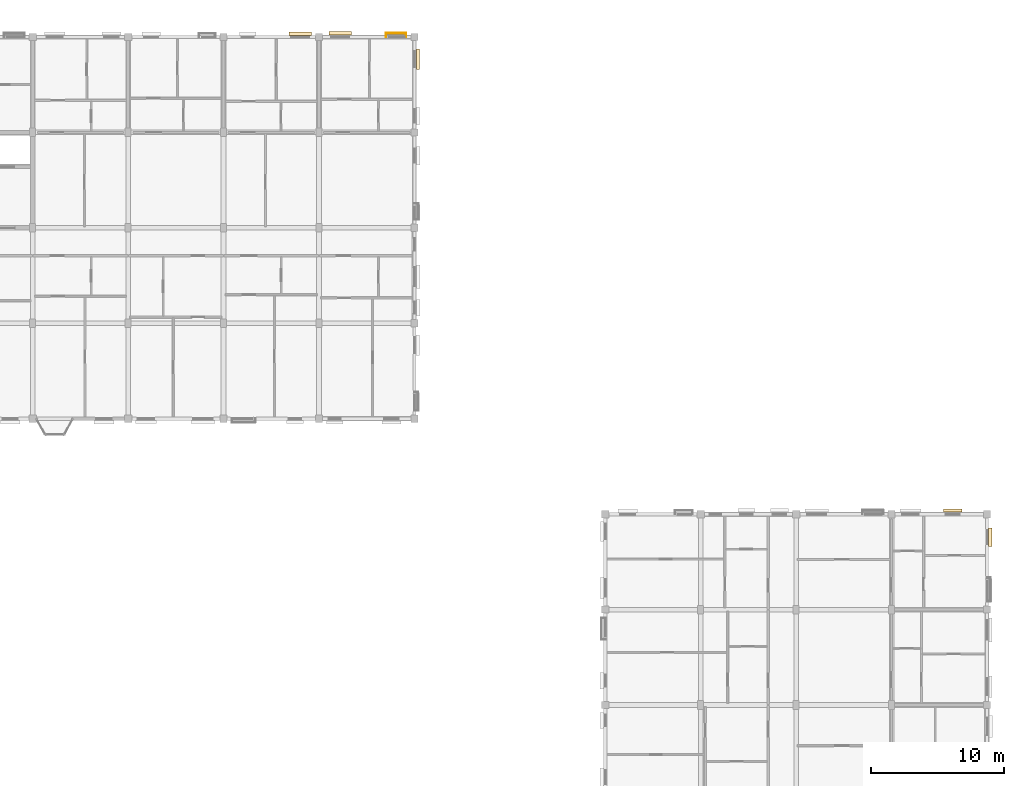
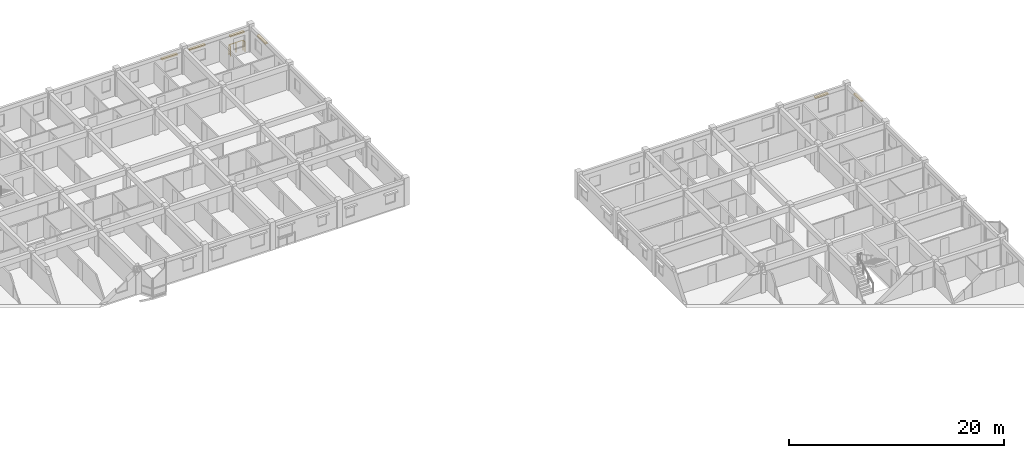
# One storey, part 75 of 75: 6 coverings, 1 railing.
"""IFC4 building model written with IfcOpenShell, lengths in metres."""

from ifc_helpers import new_model, si_unit, direction, frame, origin, origin_2d, place, context, subcontext, project, spatial, rectangle, circle, extrude, material, layer, layer_set, type_object, element, save


model = new_model("IFC4")

# Units and contexts
model_context = context("Model", 3, precision=1e-05, world=origin(), true_north=direction((0.0, 1.0)))
body_context = subcontext(model_context, "Body", "Model", "MODEL_VIEW")
ifc_project = project(units=[si_unit("LENGTHUNIT", "METRE"), si_unit("AREAUNIT", "SQUARE_METRE"), si_unit("VOLUMEUNIT", "CUBIC_METRE"), si_unit("PLANEANGLEUNIT", "RADIAN"), si_unit("MASSUNIT", "GRAM", prefix="KILO"), si_unit("THERMODYNAMICTEMPERATUREUNIT", "KELVIN"), si_unit("POWERUNIT", "WATT")], contexts=[model_context])

# Site, building, storey
site_placement = place(None, origin())
site = spatial("IfcSite", under=ifc_project, at=site_placement, CompositionType="ELEMENT")
building_placement = place(site_placement, origin())
building = spatial("IfcBuilding", under=site, at=building_placement, Name="Tavuni Mirador Residences", CompositionType="ELEMENT")
storey_placement = place(building_placement, frame((0.0, 0.0, 20.25)))
storey = spatial("IfcBuildingStorey", under=building, at=storey_placement, Name="L06", CompositionType="ELEMENT", Elevation=20.25)

# Coverings
ifc_material_1 = material(Name="Natural coral limestone", Category="masonry")
ifc_layer = layer(ifc_material_1, 0.054931640625, Name="Natural coral limestone", Category="masonry")
ifc_layer_set = layer_set([ifc_layer], Name="Natural coral limestone")
covering_type = type_object("IfcCoveringType", Name="CVT-CLAD-CORAL", PredefinedType="CLADDING", material=ifc_layer_set)
for number, where, z_axis, x_axis, name in (
    (1, (75.87451171875, 171.125, 2.06494140625), (0.0, 0.0, 1.0), (0.0, 1.0, 0.0), "HOOD-0684"),
    (2, (74.27490234375, 173.0869140625, 2.06494140625), (0.0, 0.0, 1.0), (-1.0, 0.0, 0.0), "HOOD-0685"),
):
    element("IfcCovering", number, at=place(storey_placement, frame(where, z_axis=z_axis, x_axis=x_axis)), inside=storey, type_object=covering_type, Name=name, PredefinedType="CLADDING", context=body_context, shape_type="SweptSolid", body=[
        extrude(rectangle(XDim=1.5400390625, YDim=0.25, at=origin_2d()), origin(), (0.0, 0.0, 1.0), 0.14990234375),
    ])
for number, where, z_axis, x_axis, name in (
    (3, (69.9951171875, 173.0869140625, 2.06494140625), (0.0, 0.0, 1.0), (-1.0, 0.0, 0.0), "HOOD-0686"),
    (4, (66.9951171875, 173.04443359375, 2.06494140625), (0.0, 0.0, 1.0), (-1.0, 0.0, 0.0), "HOOD-0687"),
):
    element("IfcCovering", number, at=place(storey_placement, frame(where, z_axis=z_axis, x_axis=x_axis)), inside=storey, type_object=covering_type, Name=name, PredefinedType="CLADDING", context=body_context, shape_type="SweptSolid", body=[
        extrude(rectangle(XDim=1.699951171875, YDim=0.25, at=origin_2d()), origin(), (0.0, 0.0, 1.0), 0.14990234375),
    ])
for number, where, z_axis, x_axis, name in (
    (5, (119.049560546875, 135.050048828125, 2.2451171875), (0.0, 0.0, 1.0), (0.0, 1.0, 0.0), "HOOD-1013"),
    (6, (116.202392578125, 137.074462890625, 2.2451171875), (0.0, 0.0, 1.0), (-1.0, 0.0, 0.0), "HOOD-1014"),
):
    element("IfcCovering", number, at=place(storey_placement, frame(where, z_axis=z_axis, x_axis=x_axis)), inside=storey, type_object=covering_type, Name=name, PredefinedType="CLADDING", context=body_context, shape_type="SweptSolid", body=[
        extrude(rectangle(XDim=1.389892578125, YDim=0.25, at=origin_2d()), origin(), (0.0, 0.0, 1.0), 0.14990234375),
    ])

# Railing
ifc_material_2 = material(Name="Structural steel S355", Category="steel")
railing_type = type_object("IfcRailingType", Name="RT-BL1150", PredefinedType="BALUSTRADE", material=ifc_material_2)
railing_placement = place(storey_placement, frame((74.97509765625, 172.800048828125, 0.0400390625)))
element("IfcRailing", 7, at=railing_placement, inside=storey, type_object=railing_type, Name="BALC-BLK-C-L06-N08", PredefinedType="BALUSTRADE", context=body_context, shape_type="SweptSolid", body=[
    extrude(circle(Radius=0.02392578125, at=origin_2d()), frame((0.0, 0.0, 1.1259765625), z_axis=(0.0, 1.0, 0.0), x_axis=(-1.0, 0.0, 0.0)), (0.0, 0.0, 1.0), 0.304931640625),
    extrude(circle(Radius=0.02392578125, at=origin_2d()), frame((0.0, 0.304931640625, 1.1259765625), z_axis=(-1.0, 0.0, 0.0), x_axis=(0.0, -1.0, 0.0)), (0.0, 0.0, 1.0), 1.52001953125),
    extrude(circle(Radius=0.02392578125, at=origin_2d()), frame((-1.52001953125, 0.304931640625, 1.1259765625), z_axis=(0.0, -1.0, 0.0), x_axis=(1.0, 0.0, 0.0)), (0.0, 0.0, 1.0), 0.304931640625),
    extrude(circle(Radius=0.02099609375, at=origin_2d()), origin(), (0.0, 0.0, 1.0), 1.101806640625),
    extrude(circle(Radius=0.02099609375, at=origin_2d()), frame((0.0, 0.304931640625, 0.0)), (0.0, 0.0, 1.0), 1.101806640625),
    extrude(circle(Radius=0.02099609375, at=origin_2d()), frame((-0.760009765625, 0.304931640625, 0.0)), (0.0, 0.0, 1.0), 1.101806640625),
    extrude(circle(Radius=0.02099609375, at=origin_2d()), frame((-1.52001953125, 0.304931640625, 0.0)), (0.0, 0.0, 1.0), 1.101806640625),
    extrude(circle(Radius=0.02099609375, at=origin_2d()), frame((-1.52001953125, 0.0, 0.0)), (0.0, 0.0, 1.0), 1.101806640625),
])

save(model, "model.ifc")
